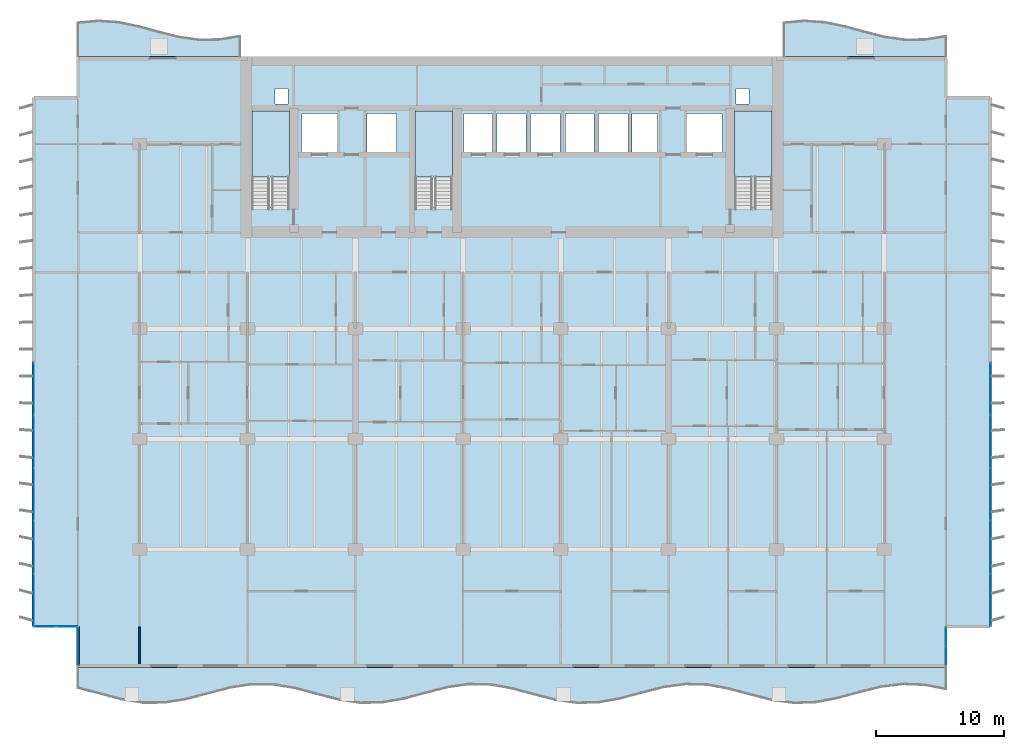
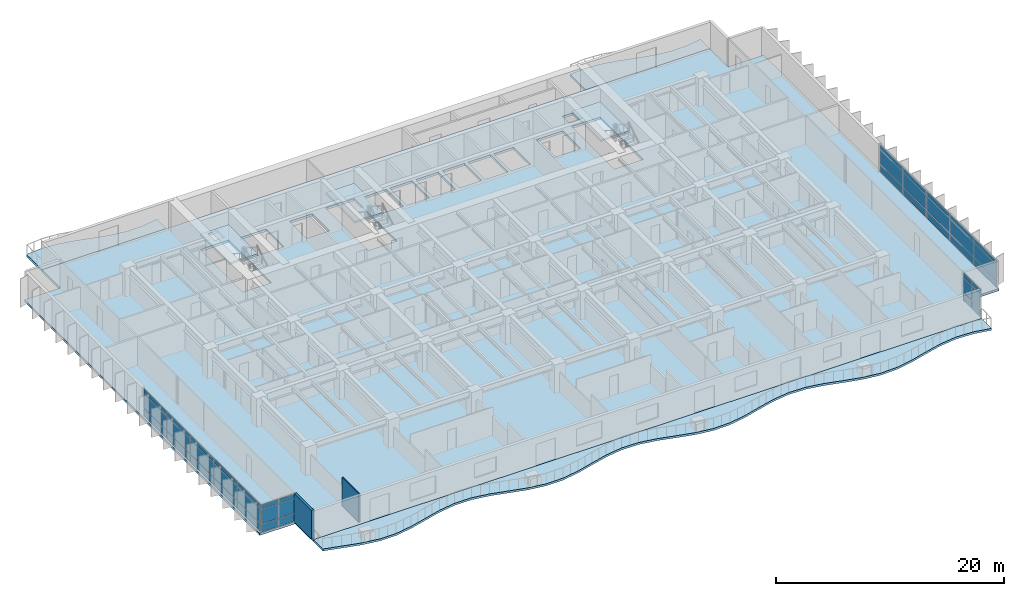
# One storey, part 5 of 17: 42 plates, 7 slabs, 2 walls, 7 elements without a shape of their own.
"""IFC4 building model written with IfcOpenShell, lengths in metres."""

import ifcopenshell
import ifcopenshell.guid

model = None  # the IFC model being written
_history = None  # IfcOwnerHistory: only IFC2X3 demands one
_inside = {}  # id of a spatial element -> (the spatial element, [elements in it])
_under = {}  # id of a project, library or spatial element -> (it, [spatial elements below it])
_declared = {}  # id of a project -> (the project, [libraries it declares])
_typed = {}  # id of a type object -> (the type object, [elements of that type])
_made_of = {}  # id of a material, layer set ... -> (it, [elements and type objects made of it])


def new_model(schema):
    """Start an empty IFC model of exactly this schema.

    Asked for "IFC4X3", IfcOpenShell would pick the latest addendum, in which some entities
    have other attributes; the version numbers below select the first issue.
    IFC2X3 requires an IfcOwnerHistory on every rooted entity: one is made here for all.
    """
    global model, _history
    if schema == "IFC4X3":
        model = ifcopenshell.file(schema_version=(4, 3, 0, 0))
    else:
        model = ifcopenshell.file(schema=schema)
    _inside.clear()
    _under.clear()
    _declared.clear()
    _typed.clear()
    _made_of.clear()
    _history = None
    if model.schema == "IFC2X3":
        org = make("IfcOrganization", Name="unknown")
        user = make(
            "IfcPersonAndOrganization",
            ThePerson=make("IfcPerson", FamilyName="unknown"),
            TheOrganization=org,
        )
        app = make(
            "IfcApplication",
            ApplicationDeveloper=org,
            Version="unknown",
            ApplicationFullName="unknown",
            ApplicationIdentifier="unknown",
        )
        _history = make(
            "IfcOwnerHistory",
            OwningUser=user,
            OwningApplication=app,
            ChangeAction="ADDED",
            CreationDate=0,
        )
    return model


def make(cls, **values):
    """One entity of the class cls with the attributes given. An attribute that is None is left unset."""
    return model.create_entity(
        cls, **{name: value for name, value in values.items() if value is not None}
    )


def rooted(cls, **values):
    """An entity with a GlobalId (a new one), such as an element, a storey or a relation."""
    return make(cls, GlobalId=ifcopenshell.guid.new(), OwnerHistory=_history, **values)


def si_unit(unit_type, name, prefix=None):
    """IfcSIUnit, for example si_unit("LENGTHUNIT", "METRE", prefix="MILLI")."""
    return make("IfcSIUnit", UnitType=unit_type, Prefix=prefix, Name=name)


def assignment(units):
    """IfcUnitAssignment: the units of a project."""
    return None if units is None else make("IfcUnitAssignment", Units=units)


def point(xyz):
    """IfcCartesianPoint."""
    return None if xyz is None else make("IfcCartesianPoint", Coordinates=xyz)


def direction(xyz):
    """IfcDirection."""
    return None if xyz is None else make("IfcDirection", DirectionRatios=xyz)


def frame(location, z_axis=None, x_axis=None):
    """IfcAxis2Placement3D, a coordinate frame: its origin and axes. An axis left out is left unset."""
    return make(
        "IfcAxis2Placement3D",
        Location=point(location),
        Axis=direction(z_axis),
        RefDirection=direction(x_axis),
    )


def frame_2d(location, x_axis=None):
    """IfcAxis2Placement2D, a coordinate frame in the plane: its origin and x axis."""
    return make(
        "IfcAxis2Placement2D", Location=point(location), RefDirection=direction(x_axis)
    )


def origin():
    """The frame at (0, 0, 0) with its axes left unset."""
    return frame((0.0, 0.0, 0.0))


def origin_2d():
    """The frame at (0, 0) in the plane with its x axis left unset."""
    return frame_2d((0.0, 0.0))


def place(relative_to, where):
    """IfcLocalPlacement: puts the frame where relative to a parent placement (None: the world)."""
    return make(
        "IfcLocalPlacement", PlacementRelTo=relative_to, RelativePlacement=where
    )


def context(
    kind, dimensions, precision=None, world=None, true_north=None, identifier=None
):
    """IfcGeometricRepresentationContext, for example the 3D "Model" context."""
    return make(
        "IfcGeometricRepresentationContext",
        ContextIdentifier=identifier,
        ContextType=kind,
        CoordinateSpaceDimension=dimensions,
        Precision=precision,
        WorldCoordinateSystem=world,
        TrueNorth=true_north,
    )


def subcontext(parent, identifier, kind, view, scale=None):
    """IfcGeometricRepresentationSubContext, for example "Body" below "Model"."""
    return make(
        "IfcGeometricRepresentationSubContext",
        ContextIdentifier=identifier,
        ContextType=kind,
        ParentContext=parent,
        TargetScale=scale,
        TargetView=view,
    )


def project(units=None, contexts=None):
    """IfcProject with its units and contexts."""
    return rooted(
        "IfcProject",
        Name="project",
        RepresentationContexts=contexts,
        UnitsInContext=assignment(units),
    )


def spatial(cls, under=None, at=None, **own):
    """A site, building, storey or space (cls), placed at a placement, below another one or the project."""
    s = rooted(cls, ObjectPlacement=at, **own)
    if under is not None:
        _under.setdefault(under.id(), (under, []))[1].append(s)
    return s


def polyline(points):
    """IfcPolyline through the points."""
    return make("IfcPolyline", Points=[point(p) for p in points])


def profile(cls, at=None, kind="AREA", **sizes):
    """A parametric profile (cls). Its sizes go by their IFC names, for example OverallWidth=200.0."""
    return make(cls, ProfileType=kind, Position=at, **sizes)


def rectangle(**sizes):
    """IfcRectangleProfileDef."""
    return profile("IfcRectangleProfileDef", **sizes)


def outline(outer, holes=None, kind="AREA"):
    """IfcArbitraryClosedProfileDef: a profile drawn as a closed curve; with holes, ...WithVoids."""
    if holes is None:
        return make("IfcArbitraryClosedProfileDef", ProfileType=kind, OuterCurve=outer)
    return make(
        "IfcArbitraryProfileDefWithVoids",
        ProfileType=kind,
        OuterCurve=outer,
        InnerCurves=holes,
    )


def extrude(swept, where, along, depth):
    """IfcExtrudedAreaSolid: the profile swept, set in the frame where, extruded along a direction by depth."""
    return make(
        "IfcExtrudedAreaSolid",
        SweptArea=swept,
        Position=where,
        ExtrudedDirection=direction(along),
        Depth=depth,
    )


def shape(context_of_items, identifier, shape_type, items):
    """IfcShapeRepresentation: the items that make up one representation, for example the "Body"."""
    return make(
        "IfcShapeRepresentation",
        ContextOfItems=context_of_items,
        RepresentationIdentifier=identifier,
        RepresentationType=shape_type,
        Items=items,
    )


def material(Name=None, Category=None):
    """IfcMaterial."""
    return make("IfcMaterial", Name=Name, Category=Category)


def layer(
    of_material, thickness, ventilated=None, Name=None, Category=None, Priority=None
):
    """IfcMaterialLayer: one layer of a wall or slab, of a material (None: an air gap)."""
    return make(
        "IfcMaterialLayer",
        Material=of_material,
        LayerThickness=thickness,
        IsVentilated=ventilated,
        Name=Name,
        Category=Category,
        Priority=Priority,
    )


def layer_set(layers, Name=None):
    """IfcMaterialLayerSet."""
    return make("IfcMaterialLayerSet", MaterialLayers=layers, LayerSetName=Name)


def made_of(thing, what):
    """Note that an element or type object is made of a material, layer set ...; save() writes the relation."""
    if what is not None:
        _made_of.setdefault(what.id(), (what, []))[1].append(thing)
    return thing


def type_object(cls, material=None, **own):
    """A type object (cls), such as IfcWallType, which elements share."""
    return made_of(rooted(cls, **own), material)


def element(
    cls,
    number,
    at=None,
    inside=None,
    cuts=None,
    type_object=None,
    material=None,
    context=None,
    identifier="Body",
    shape_type=None,
    held_by="IfcProductDefinitionShape",
    body=None,
    shapes=None,
    **own,
):
    """One element of the class cls, such as IfcWall. Its Tag is "e" and its number.

    at: its placement. inside: the storey or other place that contains it. cuts: it is an
    opening in that element (IfcRelVoidsElement). A single representation is given by context,
    identifier, shape_type and body (its items); several are given by shapes. held_by: the class
    of the entity that holds the representations. save() writes the other relations.
    """
    e = rooted(cls, Tag="e%d" % number, ObjectPlacement=at, **own)
    if body is not None:
        shapes = [shape(context, identifier, shape_type, body)]
    if shapes is not None:
        e.Representation = make(held_by, Representations=shapes)
    if inside is not None:
        _inside.setdefault(inside.id(), (inside, []))[1].append(e)
    if cuts is not None:
        rooted(
            "IfcRelVoidsElement", RelatingBuildingElement=cuts, RelatedOpeningElement=e
        )
    if type_object is not None:
        _typed.setdefault(type_object.id(), (type_object, []))[1].append(e)
    return made_of(e, material)


def aggregate(whole, parts):
    """IfcRelAggregates: a whole, such as a stair, and the parts it consists of."""
    return rooted("IfcRelAggregates", RelatingObject=whole, RelatedObjects=parts)


def save(model, path):
    """Write the relations noted so far, then the file.

    IfcRelAggregates (storeys below a building ...), IfcRelContainedInSpatialStructure (elements
    in a storey), IfcRelDefinesByType, IfcRelAssociatesMaterial and IfcRelDeclares: one each for
    every whole, place, type object, material and project.
    """
    for whole, parts in _under.values():
        aggregate(whole, parts)
    for where, things in _inside.values():
        rooted(
            "IfcRelContainedInSpatialStructure",
            RelatedElements=things,
            RelatingStructure=where,
        )
    for kind, things in _typed.values():
        rooted("IfcRelDefinesByType", RelatedObjects=things, RelatingType=kind)
    for what, things in _made_of.values():
        rooted("IfcRelAssociatesMaterial", RelatedObjects=things, RelatingMaterial=what)
    for by, libraries in _declared.values():
        rooted("IfcRelDeclares", RelatingContext=by, RelatedDefinitions=libraries)
    model.write(path)


model = new_model("IFC4")

# Units and contexts
model_context = context("Model", 3, precision=1e-05, world=origin(), true_north=direction((0.0, 1.0)))
body_context = subcontext(model_context, "Body", "Model", "MODEL_VIEW")
ifc_project = project(units=[si_unit("LENGTHUNIT", "METRE"), si_unit("AREAUNIT", "SQUARE_METRE"), si_unit("VOLUMEUNIT", "CUBIC_METRE"), si_unit("PLANEANGLEUNIT", "RADIAN"), si_unit("MASSUNIT", "GRAM", prefix="KILO")], contexts=[model_context])

# Site, building, storey
site_placement = place(None, origin())
site = spatial("IfcSite", under=ifc_project, at=site_placement, CompositionType="ELEMENT")
building_placement = place(site_placement, origin())
building = spatial("IfcBuilding", under=site, at=building_placement, Name="Caelmar Bay Residences", CompositionType="ELEMENT")
storey_placement = place(building_placement, frame((0.0, 0.0, 59.699951171875)))
storey = spatial("IfcBuildingStorey", under=building, at=storey_placement, Name="L15", CompositionType="ELEMENT", Elevation=59.699951171875)

# Curtain wall, plates
ifc_material_1 = material(Name="Anodised bronze aluminium 6063-T6 and laminated glass", Category="aluminium")
ifc_layer_1 = layer(ifc_material_1, 0.179931640625)
ifc_layer_set_1 = layer_set([ifc_layer_1], Name="Anodised bronze aluminium 6063-T6 and laminated glass")
curtain_wall_type_1 = type_object("IfcCurtainWallType", Name="CW6-NTC", PredefinedType="NOTDEFINED", material=ifc_layer_set_1)
curtain_wall_1_placement = place(storey_placement, origin())
curtain_wall_1 = element("IfcCurtainWall", 1, at=curtain_wall_1_placement, inside=storey, type_object=curtain_wall_type_1, Name="CW6 curtain wall L15", PredefinedType="NOTDEFINED")
ifc_material_2 = material(Name="Bronze-tinted laminated low-E hurricane glass 28 mm", Category="glass")
ifc_layer_2 = layer(ifc_material_2, 0.028076171875)
ifc_layer_set_2 = layer_set([ifc_layer_2], Name="Bronze-tinted laminated low-E hurricane glass 28 mm")
plate_type = type_object("IfcPlateType", Name="CWP-GLZ28", PredefinedType="CURTAIN_PANEL", material=ifc_layer_set_2)
plate_1_placement = place(storey_placement, frame((2.532470703125, 6.199951171875, 0.080078125), z_axis=(0.0, 0.0, 1.0), x_axis=(1.0, 0.0, 0.0)))
plate_1 = element("IfcPlate", 2, at=plate_1_placement, type_object=plate_type, Name="CW6 panel 1.1", PredefinedType="CURTAIN_PANEL", context=body_context, shape_type="SweptSolid", body=[
    extrude(rectangle(XDim=1.60498046875, YDim=0.028076171875, at=origin_2d()), origin(), (0.0, 0.0, 1.0), 0.780029296875),
])
plate_2_placement = place(storey_placement, frame((2.532470703125, 6.199951171875, 0.93994140625), z_axis=(0.0, 0.0, 1.0), x_axis=(1.0, 0.0, 0.0)))
plate_2 = element("IfcPlate", 3, at=plate_2_placement, type_object=plate_type, Name="CW6 panel 1.2", PredefinedType="CURTAIN_PANEL", context=body_context, shape_type="SweptSolid", body=[
    extrude(rectangle(XDim=1.60498046875, YDim=0.028076171875, at=origin_2d()), origin(), (0.0, 0.0, 1.0), 1.52001953125),
])
plate_3_placement = place(storey_placement, frame((2.532470703125, 6.199951171875, 2.5400390625), z_axis=(0.0, 0.0, 1.0), x_axis=(1.0, 0.0, 0.0)))
plate_3 = element("IfcPlate", 4, at=plate_3_placement, type_object=plate_type, Name="CW6 panel 1.3", PredefinedType="CURTAIN_PANEL", context=body_context, shape_type="SweptSolid", body=[
    extrude(rectangle(XDim=1.60498046875, YDim=0.028076171875, at=origin_2d()), origin(), (0.0, 0.0, 1.0), 0.429931640625),
])
plate_4_placement = place(storey_placement, frame((4.217529296875, 6.199951171875, 0.080078125), z_axis=(0.0, 0.0, 1.0), x_axis=(1.0, 0.0, 0.0)))
plate_4 = element("IfcPlate", 5, at=plate_4_placement, type_object=plate_type, Name="CW6 panel 2.1", PredefinedType="CURTAIN_PANEL", context=body_context, shape_type="SweptSolid", body=[
    extrude(rectangle(XDim=1.60498046875, YDim=0.028076171875, at=origin_2d()), origin(), (0.0, 0.0, 1.0), 0.780029296875),
])
plate_5_placement = place(storey_placement, frame((4.217529296875, 6.199951171875, 0.93994140625), z_axis=(0.0, 0.0, 1.0), x_axis=(1.0, 0.0, 0.0)))
plate_5 = element("IfcPlate", 6, at=plate_5_placement, type_object=plate_type, Name="CW6 panel 2.2", PredefinedType="CURTAIN_PANEL", context=body_context, shape_type="SweptSolid", body=[
    extrude(rectangle(XDim=1.60498046875, YDim=0.028076171875, at=origin_2d()), origin(), (0.0, 0.0, 1.0), 1.52001953125),
])
plate_6_placement = place(storey_placement, frame((4.217529296875, 6.199951171875, 2.5400390625), z_axis=(0.0, 0.0, 1.0), x_axis=(1.0, 0.0, 0.0)))
plate_6 = element("IfcPlate", 7, at=plate_6_placement, type_object=plate_type, Name="CW6 panel 2.3", PredefinedType="CURTAIN_PANEL", context=body_context, shape_type="SweptSolid", body=[
    extrude(rectangle(XDim=1.60498046875, YDim=0.028076171875, at=origin_2d()), origin(), (0.0, 0.0, 1.0), 0.429931640625),
])
aggregate(curtain_wall_1, [plate_1, plate_2, plate_3, plate_4, plate_5, plate_6])

curtain_wall_2_placement = place(storey_placement, origin())
curtain_wall_2 = element("IfcCurtainWall", 8, at=curtain_wall_2_placement, inside=storey, type_object=curtain_wall_type_1, Name="CW6 curtain wall L15", PredefinedType="NOTDEFINED")
plate_7_placement = place(storey_placement, frame((72.699951171875, 3.9326171875, 0.080078125), z_axis=(0.0, 0.0, 1.0), x_axis=(0.0, 1.0, 0.0)))
plate_7 = element("IfcPlate", 9, at=plate_7_placement, type_object=plate_type, Name="CW6 panel 1.1", PredefinedType="CURTAIN_PANEL", context=body_context, shape_type="SweptSolid", body=[
    extrude(rectangle(XDim=1.405029296875, YDim=0.028076171875, at=origin_2d()), origin(), (0.0, 0.0, 1.0), 0.780029296875),
])
plate_8_placement = place(storey_placement, frame((72.699951171875, 3.9326171875, 0.93994140625), z_axis=(0.0, 0.0, 1.0), x_axis=(0.0, 1.0, 0.0)))
plate_8 = element("IfcPlate", 10, at=plate_8_placement, type_object=plate_type, Name="CW6 panel 1.2", PredefinedType="CURTAIN_PANEL", context=body_context, shape_type="SweptSolid", body=[
    extrude(rectangle(XDim=1.405029296875, YDim=0.028076171875, at=origin_2d()), origin(), (0.0, 0.0, 1.0), 1.52001953125),
])
plate_9_placement = place(storey_placement, frame((72.699951171875, 3.9326171875, 2.5400390625), z_axis=(0.0, 0.0, 1.0), x_axis=(0.0, 1.0, 0.0)))
plate_9 = element("IfcPlate", 11, at=plate_9_placement, type_object=plate_type, Name="CW6 panel 1.3", PredefinedType="CURTAIN_PANEL", context=body_context, shape_type="SweptSolid", body=[
    extrude(rectangle(XDim=1.405029296875, YDim=0.028076171875, at=origin_2d()), origin(), (0.0, 0.0, 1.0), 0.429931640625),
])
plate_10_placement = place(storey_placement, frame((72.699951171875, 5.41748046875, 0.080078125), z_axis=(0.0, 0.0, 1.0), x_axis=(0.0, 1.0, 0.0)))
plate_10 = element("IfcPlate", 12, at=plate_10_placement, type_object=plate_type, Name="CW6 panel 2.1", PredefinedType="CURTAIN_PANEL", context=body_context, shape_type="SweptSolid", body=[
    extrude(rectangle(XDim=1.405029296875, YDim=0.028076171875, at=origin_2d()), origin(), (0.0, 0.0, 1.0), 0.780029296875),
])
plate_11_placement = place(storey_placement, frame((72.699951171875, 5.41748046875, 0.93994140625), z_axis=(0.0, 0.0, 1.0), x_axis=(0.0, 1.0, 0.0)))
plate_11 = element("IfcPlate", 13, at=plate_11_placement, type_object=plate_type, Name="CW6 panel 2.2", PredefinedType="CURTAIN_PANEL", context=body_context, shape_type="SweptSolid", body=[
    extrude(rectangle(XDim=1.405029296875, YDim=0.028076171875, at=origin_2d()), origin(), (0.0, 0.0, 1.0), 1.52001953125),
])
plate_12_placement = place(storey_placement, frame((72.699951171875, 5.41748046875, 2.5400390625), z_axis=(0.0, 0.0, 1.0), x_axis=(0.0, 1.0, 0.0)))
plate_12 = element("IfcPlate", 14, at=plate_12_placement, type_object=plate_type, Name="CW6 panel 2.3", PredefinedType="CURTAIN_PANEL", context=body_context, shape_type="SweptSolid", body=[
    extrude(rectangle(XDim=1.405029296875, YDim=0.028076171875, at=origin_2d()), origin(), (0.0, 0.0, 1.0), 0.429931640625),
])
aggregate(curtain_wall_2, [plate_7, plate_8, plate_9, plate_10, plate_11, plate_12])

ifc_layer_3 = layer(ifc_material_1, 0.179931640625)
ifc_layer_set_3 = layer_set([ifc_layer_3], Name="Anodised bronze aluminium 6063-T6 and laminated glass")
curtain_wall_type_2 = type_object("IfcCurtainWallType", Name="CW2-Z1", PredefinedType="NOTDEFINED", material=ifc_layer_set_3)
curtain_wall_3_placement = place(storey_placement, origin())
curtain_wall_3 = element("IfcCurtainWall", 15, at=curtain_wall_3_placement, inside=storey, type_object=curtain_wall_type_2, Name="CW2 curtain wall L15", PredefinedType="NOTDEFINED")
plate_13_placement = place(storey_placement, frame((1.64990234375, 8.280029296875, 0.080078125), z_axis=(0.0, 0.0, 1.0), x_axis=(0.0, 1.0, 0.0)))
plate_13 = element("IfcPlate", 16, at=plate_13_placement, type_object=plate_type, Name="CW2 panel 1.1", PredefinedType="CURTAIN_PANEL", context=body_context, shape_type="SweptSolid", body=[
    extrude(rectangle(XDim=4.0, YDim=0.028076171875, at=origin_2d()), origin(), (0.0, 0.0, 1.0), 0.780029296875),
])
plate_14_placement = place(storey_placement, frame((1.64990234375, 8.280029296875, 0.93994140625), z_axis=(0.0, 0.0, 1.0), x_axis=(0.0, 1.0, 0.0)))
plate_14 = element("IfcPlate", 17, at=plate_14_placement, type_object=plate_type, Name="CW2 panel 1.2", PredefinedType="CURTAIN_PANEL", context=body_context, shape_type="SweptSolid", body=[
    extrude(rectangle(XDim=4.0, YDim=0.028076171875, at=origin_2d()), origin(), (0.0, 0.0, 1.0), 1.52001953125),
])
plate_15_placement = place(storey_placement, frame((1.64990234375, 8.280029296875, 2.5400390625), z_axis=(0.0, 0.0, 1.0), x_axis=(0.0, 1.0, 0.0)))
plate_15 = element("IfcPlate", 18, at=plate_15_placement, type_object=plate_type, Name="CW2 panel 1.3", PredefinedType="CURTAIN_PANEL", context=body_context, shape_type="SweptSolid", body=[
    extrude(rectangle(XDim=4.0, YDim=0.028076171875, at=origin_2d()), origin(), (0.0, 0.0, 1.0), 0.429931640625),
])
plate_16_placement = place(storey_placement, frame((1.64990234375, 12.3798828125, 0.080078125), z_axis=(0.0, 0.0, 1.0), x_axis=(0.0, 1.0, 0.0)))
plate_16 = element("IfcPlate", 19, at=plate_16_placement, type_object=plate_type, Name="CW2 panel 2.1", PredefinedType="CURTAIN_PANEL", context=body_context, shape_type="SweptSolid", body=[
    extrude(rectangle(XDim=4.0400390625, YDim=0.028076171875, at=origin_2d()), origin(), (0.0, 0.0, 1.0), 0.780029296875),
])
plate_17_placement = place(storey_placement, frame((1.64990234375, 12.3798828125, 0.93994140625), z_axis=(0.0, 0.0, 1.0), x_axis=(0.0, 1.0, 0.0)))
plate_17 = element("IfcPlate", 20, at=plate_17_placement, type_object=plate_type, Name="CW2 panel 2.2", PredefinedType="CURTAIN_PANEL", context=body_context, shape_type="SweptSolid", body=[
    extrude(rectangle(XDim=4.0400390625, YDim=0.028076171875, at=origin_2d()), origin(), (0.0, 0.0, 1.0), 1.52001953125),
])
plate_18_placement = place(storey_placement, frame((1.64990234375, 12.3798828125, 2.5400390625), z_axis=(0.0, 0.0, 1.0), x_axis=(0.0, 1.0, 0.0)))
plate_18 = element("IfcPlate", 21, at=plate_18_placement, type_object=plate_type, Name="CW2 panel 2.3", PredefinedType="CURTAIN_PANEL", context=body_context, shape_type="SweptSolid", body=[
    extrude(rectangle(XDim=4.0400390625, YDim=0.028076171875, at=origin_2d()), origin(), (0.0, 0.0, 1.0), 0.429931640625),
])
plate_19_placement = place(storey_placement, frame((1.64990234375, 16.5, 0.080078125), z_axis=(0.0, 0.0, 1.0), x_axis=(0.0, 1.0, 0.0)))
plate_19 = element("IfcPlate", 22, at=plate_19_placement, type_object=plate_type, Name="CW2 panel 3.1", PredefinedType="CURTAIN_PANEL", context=body_context, shape_type="SweptSolid", body=[
    extrude(rectangle(XDim=4.0400390625, YDim=0.028076171875, at=origin_2d()), origin(), (0.0, 0.0, 1.0), 0.780029296875),
])
plate_20_placement = place(storey_placement, frame((1.64990234375, 16.5, 0.93994140625), z_axis=(0.0, 0.0, 1.0), x_axis=(0.0, 1.0, 0.0)))
plate_20 = element("IfcPlate", 23, at=plate_20_placement, type_object=plate_type, Name="CW2 panel 3.2", PredefinedType="CURTAIN_PANEL", context=body_context, shape_type="SweptSolid", body=[
    extrude(rectangle(XDim=4.0400390625, YDim=0.028076171875, at=origin_2d()), origin(), (0.0, 0.0, 1.0), 1.52001953125),
])
plate_21_placement = place(storey_placement, frame((1.64990234375, 16.5, 2.5400390625), z_axis=(0.0, 0.0, 1.0), x_axis=(0.0, 1.0, 0.0)))
plate_21 = element("IfcPlate", 24, at=plate_21_placement, type_object=plate_type, Name="CW2 panel 3.3", PredefinedType="CURTAIN_PANEL", context=body_context, shape_type="SweptSolid", body=[
    extrude(rectangle(XDim=4.0400390625, YDim=0.028076171875, at=origin_2d()), origin(), (0.0, 0.0, 1.0), 0.429931640625),
])
plate_22_placement = place(storey_placement, frame((1.64990234375, 20.6201171875, 0.080078125), z_axis=(0.0, 0.0, 1.0), x_axis=(0.0, 1.0, 0.0)))
plate_22 = element("IfcPlate", 25, at=plate_22_placement, type_object=plate_type, Name="CW2 panel 4.1", PredefinedType="CURTAIN_PANEL", context=body_context, shape_type="SweptSolid", body=[
    extrude(rectangle(XDim=4.0400390625, YDim=0.028076171875, at=origin_2d()), origin(), (0.0, 0.0, 1.0), 0.780029296875),
])
plate_23_placement = place(storey_placement, frame((1.64990234375, 20.6201171875, 0.93994140625), z_axis=(0.0, 0.0, 1.0), x_axis=(0.0, 1.0, 0.0)))
plate_23 = element("IfcPlate", 26, at=plate_23_placement, type_object=plate_type, Name="CW2 panel 4.2", PredefinedType="CURTAIN_PANEL", context=body_context, shape_type="SweptSolid", body=[
    extrude(rectangle(XDim=4.0400390625, YDim=0.028076171875, at=origin_2d()), origin(), (0.0, 0.0, 1.0), 1.52001953125),
])
plate_24_placement = place(storey_placement, frame((1.64990234375, 20.6201171875, 2.5400390625), z_axis=(0.0, 0.0, 1.0), x_axis=(0.0, 1.0, 0.0)))
plate_24 = element("IfcPlate", 27, at=plate_24_placement, type_object=plate_type, Name="CW2 panel 4.3", PredefinedType="CURTAIN_PANEL", context=body_context, shape_type="SweptSolid", body=[
    extrude(rectangle(XDim=4.0400390625, YDim=0.028076171875, at=origin_2d()), origin(), (0.0, 0.0, 1.0), 0.429931640625),
])
plate_25_placement = place(storey_placement, frame((1.64990234375, 24.719970703125, 0.080078125), z_axis=(0.0, 0.0, 1.0), x_axis=(0.0, 1.0, 0.0)))
plate_25 = element("IfcPlate", 28, at=plate_25_placement, type_object=plate_type, Name="CW2 panel 5.1", PredefinedType="CURTAIN_PANEL", context=body_context, shape_type="SweptSolid", body=[
    extrude(rectangle(XDim=4.0, YDim=0.028076171875, at=origin_2d()), origin(), (0.0, 0.0, 1.0), 0.780029296875),
])
plate_26_placement = place(storey_placement, frame((1.64990234375, 24.719970703125, 0.93994140625), z_axis=(0.0, 0.0, 1.0), x_axis=(0.0, 1.0, 0.0)))
plate_26 = element("IfcPlate", 29, at=plate_26_placement, type_object=plate_type, Name="CW2 panel 5.2", PredefinedType="CURTAIN_PANEL", context=body_context, shape_type="SweptSolid", body=[
    extrude(rectangle(XDim=4.0, YDim=0.028076171875, at=origin_2d()), origin(), (0.0, 0.0, 1.0), 1.52001953125),
])
plate_27_placement = place(storey_placement, frame((1.64990234375, 24.719970703125, 2.5400390625), z_axis=(0.0, 0.0, 1.0), x_axis=(0.0, 1.0, 0.0)))
plate_27 = element("IfcPlate", 30, at=plate_27_placement, type_object=plate_type, Name="CW2 panel 5.3", PredefinedType="CURTAIN_PANEL", context=body_context, shape_type="SweptSolid", body=[
    extrude(rectangle(XDim=4.0, YDim=0.028076171875, at=origin_2d()), origin(), (0.0, 0.0, 1.0), 0.429931640625),
])
aggregate(curtain_wall_3, [plate_13, plate_14, plate_15, plate_16, plate_17, plate_18, plate_19, plate_20, plate_21, plate_22, plate_23, plate_24, plate_25, plate_26, plate_27])

curtain_wall_4_placement = place(storey_placement, origin())
curtain_wall_4 = element("IfcCurtainWall", 31, at=curtain_wall_4_placement, inside=storey, type_object=curtain_wall_type_2, Name="CW2 curtain wall L15", PredefinedType="NOTDEFINED")
plate_28_placement = place(storey_placement, frame((76.14990234375, 24.719970703125, 0.080078125), z_axis=(0.0, 0.0, 1.0), x_axis=(0.0, -1.0, 0.0)))
plate_28 = element("IfcPlate", 32, at=plate_28_placement, type_object=plate_type, Name="CW2 panel 1.1", PredefinedType="CURTAIN_PANEL", context=body_context, shape_type="SweptSolid", body=[
    extrude(rectangle(XDim=4.0, YDim=0.028076171875, at=origin_2d()), origin(), (0.0, 0.0, 1.0), 0.780029296875),
])
plate_29_placement = place(storey_placement, frame((76.14990234375, 24.719970703125, 0.93994140625), z_axis=(0.0, 0.0, 1.0), x_axis=(0.0, -1.0, 0.0)))
plate_29 = element("IfcPlate", 33, at=plate_29_placement, type_object=plate_type, Name="CW2 panel 1.2", PredefinedType="CURTAIN_PANEL", context=body_context, shape_type="SweptSolid", body=[
    extrude(rectangle(XDim=4.0, YDim=0.028076171875, at=origin_2d()), origin(), (0.0, 0.0, 1.0), 1.52001953125),
])
plate_30_placement = place(storey_placement, frame((76.14990234375, 24.719970703125, 2.5400390625), z_axis=(0.0, 0.0, 1.0), x_axis=(0.0, -1.0, 0.0)))
plate_30 = element("IfcPlate", 34, at=plate_30_placement, type_object=plate_type, Name="CW2 panel 1.3", PredefinedType="CURTAIN_PANEL", context=body_context, shape_type="SweptSolid", body=[
    extrude(rectangle(XDim=4.0, YDim=0.028076171875, at=origin_2d()), origin(), (0.0, 0.0, 1.0), 0.429931640625),
])
plate_31_placement = place(storey_placement, frame((76.14990234375, 20.6201171875, 0.080078125), z_axis=(0.0, 0.0, 1.0), x_axis=(0.0, -1.0, 0.0)))
plate_31 = element("IfcPlate", 35, at=plate_31_placement, type_object=plate_type, Name="CW2 panel 2.1", PredefinedType="CURTAIN_PANEL", context=body_context, shape_type="SweptSolid", body=[
    extrude(rectangle(XDim=4.0400390625, YDim=0.028076171875, at=origin_2d()), origin(), (0.0, 0.0, 1.0), 0.780029296875),
])
plate_32_placement = place(storey_placement, frame((76.14990234375, 20.6201171875, 0.93994140625), z_axis=(0.0, 0.0, 1.0), x_axis=(0.0, -1.0, 0.0)))
plate_32 = element("IfcPlate", 36, at=plate_32_placement, type_object=plate_type, Name="CW2 panel 2.2", PredefinedType="CURTAIN_PANEL", context=body_context, shape_type="SweptSolid", body=[
    extrude(rectangle(XDim=4.0400390625, YDim=0.028076171875, at=origin_2d()), origin(), (0.0, 0.0, 1.0), 1.52001953125),
])
plate_33_placement = place(storey_placement, frame((76.14990234375, 20.6201171875, 2.5400390625), z_axis=(0.0, 0.0, 1.0), x_axis=(0.0, -1.0, 0.0)))
plate_33 = element("IfcPlate", 37, at=plate_33_placement, type_object=plate_type, Name="CW2 panel 2.3", PredefinedType="CURTAIN_PANEL", context=body_context, shape_type="SweptSolid", body=[
    extrude(rectangle(XDim=4.0400390625, YDim=0.028076171875, at=origin_2d()), origin(), (0.0, 0.0, 1.0), 0.429931640625),
])
plate_34_placement = place(storey_placement, frame((76.14990234375, 16.5, 0.080078125), z_axis=(0.0, 0.0, 1.0), x_axis=(0.0, -1.0, 0.0)))
plate_34 = element("IfcPlate", 38, at=plate_34_placement, type_object=plate_type, Name="CW2 panel 3.1", PredefinedType="CURTAIN_PANEL", context=body_context, shape_type="SweptSolid", body=[
    extrude(rectangle(XDim=4.0400390625, YDim=0.028076171875, at=origin_2d()), origin(), (0.0, 0.0, 1.0), 0.780029296875),
])
plate_35_placement = place(storey_placement, frame((76.14990234375, 16.5, 0.93994140625), z_axis=(0.0, 0.0, 1.0), x_axis=(0.0, -1.0, 0.0)))
plate_35 = element("IfcPlate", 39, at=plate_35_placement, type_object=plate_type, Name="CW2 panel 3.2", PredefinedType="CURTAIN_PANEL", context=body_context, shape_type="SweptSolid", body=[
    extrude(rectangle(XDim=4.0400390625, YDim=0.028076171875, at=origin_2d()), origin(), (0.0, 0.0, 1.0), 1.52001953125),
])
plate_36_placement = place(storey_placement, frame((76.14990234375, 16.5, 2.5400390625), z_axis=(0.0, 0.0, 1.0), x_axis=(0.0, -1.0, 0.0)))
plate_36 = element("IfcPlate", 40, at=plate_36_placement, type_object=plate_type, Name="CW2 panel 3.3", PredefinedType="CURTAIN_PANEL", context=body_context, shape_type="SweptSolid", body=[
    extrude(rectangle(XDim=4.0400390625, YDim=0.028076171875, at=origin_2d()), origin(), (0.0, 0.0, 1.0), 0.429931640625),
])
plate_37_placement = place(storey_placement, frame((76.14990234375, 12.3798828125, 0.080078125), z_axis=(0.0, 0.0, 1.0), x_axis=(0.0, -1.0, 0.0)))
plate_37 = element("IfcPlate", 41, at=plate_37_placement, type_object=plate_type, Name="CW2 panel 4.1", PredefinedType="CURTAIN_PANEL", context=body_context, shape_type="SweptSolid", body=[
    extrude(rectangle(XDim=4.0400390625, YDim=0.028076171875, at=origin_2d()), origin(), (0.0, 0.0, 1.0), 0.780029296875),
])
plate_38_placement = place(storey_placement, frame((76.14990234375, 12.3798828125, 0.93994140625), z_axis=(0.0, 0.0, 1.0), x_axis=(0.0, -1.0, 0.0)))
plate_38 = element("IfcPlate", 42, at=plate_38_placement, type_object=plate_type, Name="CW2 panel 4.2", PredefinedType="CURTAIN_PANEL", context=body_context, shape_type="SweptSolid", body=[
    extrude(rectangle(XDim=4.0400390625, YDim=0.028076171875, at=origin_2d()), origin(), (0.0, 0.0, 1.0), 1.52001953125),
])
plate_39_placement = place(storey_placement, frame((76.14990234375, 12.3798828125, 2.5400390625), z_axis=(0.0, 0.0, 1.0), x_axis=(0.0, -1.0, 0.0)))
plate_39 = element("IfcPlate", 43, at=plate_39_placement, type_object=plate_type, Name="CW2 panel 4.3", PredefinedType="CURTAIN_PANEL", context=body_context, shape_type="SweptSolid", body=[
    extrude(rectangle(XDim=4.0400390625, YDim=0.028076171875, at=origin_2d()), origin(), (0.0, 0.0, 1.0), 0.429931640625),
])
plate_40_placement = place(storey_placement, frame((76.14990234375, 8.280029296875, 0.080078125), z_axis=(0.0, 0.0, 1.0), x_axis=(0.0, -1.0, 0.0)))
plate_40 = element("IfcPlate", 44, at=plate_40_placement, type_object=plate_type, Name="CW2 panel 5.1", PredefinedType="CURTAIN_PANEL", context=body_context, shape_type="SweptSolid", body=[
    extrude(rectangle(XDim=4.0, YDim=0.028076171875, at=origin_2d()), origin(), (0.0, 0.0, 1.0), 0.780029296875),
])
plate_41_placement = place(storey_placement, frame((76.14990234375, 8.280029296875, 0.93994140625), z_axis=(0.0, 0.0, 1.0), x_axis=(0.0, -1.0, 0.0)))
plate_41 = element("IfcPlate", 45, at=plate_41_placement, type_object=plate_type, Name="CW2 panel 5.2", PredefinedType="CURTAIN_PANEL", context=body_context, shape_type="SweptSolid", body=[
    extrude(rectangle(XDim=4.0, YDim=0.028076171875, at=origin_2d()), origin(), (0.0, 0.0, 1.0), 1.52001953125),
])
plate_42_placement = place(storey_placement, frame((76.14990234375, 8.280029296875, 2.5400390625), z_axis=(0.0, 0.0, 1.0), x_axis=(0.0, -1.0, 0.0)))
plate_42 = element("IfcPlate", 46, at=plate_42_placement, type_object=plate_type, Name="CW2 panel 5.3", PredefinedType="CURTAIN_PANEL", context=body_context, shape_type="SweptSolid", body=[
    extrude(rectangle(XDim=4.0, YDim=0.028076171875, at=origin_2d()), origin(), (0.0, 0.0, 1.0), 0.429931640625),
])
aggregate(curtain_wall_4, [plate_28, plate_29, plate_30, plate_31, plate_32, plate_33, plate_34, plate_35, plate_36, plate_37, plate_38, plate_39, plate_40, plate_41, plate_42])

# Slabs
ifc_material_3 = material(Name="Concrete f'c 40 MPa (6,000 psi)", Category="concrete")
ifc_layer_4 = layer(ifc_material_3, 0.219970703125)
ifc_layer_set_4 = layer_set([ifc_layer_4], Name="Concrete f'c 40 MPa (6,000 psi)")
slab_type_1 = type_object("IfcSlabType", Name="SLB-BAL-220", PredefinedType="FLOOR", material=ifc_layer_set_4)
slab_1_placement = place(storey_placement, frame((0.0, 0.0, -0.219970703125)))
element("IfcSlab", 47, at=slab_1_placement, inside=storey, type_object=slab_type_1, Name="L15 Sinusoidal Tree-Balcony Slab south", PredefinedType="FLOOR", context=body_context, shape_type="SweptSolid", body=[
    extrude(outline(polyline([(5.10009765625, 1.3408203125), (6.7900390625, 0.897216796875), (8.47998046875, 0.45458984375), (10.169921875, 0.18408203125), (11.860107421875, 0.190185546875), (13.550048828125, 0.470703125), (15.239990234375, 0.916748046875), (16.929931640625, 1.356689453125), (18.6201171875, 1.619873046875), (20.31005859375, 1.60498046875), (22.0, 1.31787109375), (23.68994140625, 0.869140625), (25.3798828125, 0.432373046875), (27.070068359375, 0.17626953125), (28.760009765625, 0.19970703125), (30.449951171875, 0.493896484375), (32.139892578125, 0.94482421875), (33.830078125, 1.37841796875), (35.52001953125, 1.627197265625), (37.2099609375, 1.594970703125), (38.89990234375, 1.294189453125), (40.590087890625, 0.84130859375), (42.280029296875, 0.410888671875), (43.969970703125, 0.16943359375), (45.659912109375, 0.21044921875), (47.35009765625, 0.517578125), (49.0400390625, 0.972900390625), (50.72998046875, 1.39990234375), (52.419921875, 1.633544921875), (54.110107421875, 1.583984375), (55.800048828125, 1.27001953125), (57.489990234375, 0.813232421875), (59.179931640625, 0.389892578125), (60.8701171875, 0.16357421875), (62.56005859375, 0.221923828125), (64.25, 0.5419921875), (65.93994140625, 1.000732421875), (67.6298828125, 1.42041015625), (69.320068359375, 1.638916015625), (71.010009765625, 1.572021484375), (72.699951171875, 1.24560546875), (72.699951171875, 3.0), (5.10009765625, 3.0), (5.10009765625, 1.3408203125)])), origin(), (0.0, 0.0, 1.0), 0.219970703125),
])
slab_2_placement = place(storey_placement, frame((0.0, 0.0, -0.219970703125)))
element("IfcSlab", 48, at=slab_2_placement, inside=storey, type_object=slab_type_1, Name="L15 Sinusoidal Tree-Balcony Slab north_west", PredefinedType="FLOOR", context=body_context, shape_type="SweptSolid", body=[
    extrude(outline(polyline([(5.10009765625, 50.60009765625), (17.699951171875, 50.60009765625), (17.699951171875, 52.25927734375), (16.125, 51.996337890625), (14.550048828125, 51.970703125), (12.97509765625, 52.19091796875), (11.39990234375, 52.582763671875), (9.824951171875, 53.013916015625), (8.25, 53.339599609375), (6.675048828125, 53.449462890625), (5.10009765625, 53.306884765625), (5.10009765625, 50.60009765625)])), origin(), (0.0, 0.0, 1.0), 0.219970703125),
])
slab_3_placement = place(storey_placement, frame((0.0, 0.0, -0.219970703125)))
element("IfcSlab", 49, at=slab_3_placement, inside=storey, type_object=slab_type_1, Name="L15 Sinusoidal Tree-Balcony Slab north_east", PredefinedType="FLOOR", context=body_context, shape_type="SweptSolid", body=[
    extrude(outline(polyline([(60.10009765625, 50.60009765625), (72.699951171875, 50.60009765625), (72.699951171875, 52.25927734375), (71.125, 51.996337890625), (69.550048828125, 51.970703125), (67.97509765625, 52.19091796875), (66.39990234375, 52.582763671875), (64.824951171875, 53.013916015625), (63.25, 53.339599609375), (61.675048828125, 53.449462890625), (60.10009765625, 53.306884765625), (60.10009765625, 50.60009765625)])), origin(), (0.0, 0.0, 1.0), 0.219970703125),
])

# Stair, slab
stair_type = type_object("IfcStairType", Name="ST-TYP-165", PredefinedType="HALF_TURN_STAIR", material=ifc_material_3)
stair_1_placement = place(storey_placement, origin())
stair_1 = element("IfcStair", 50, at=stair_1_placement, inside=storey, type_object=stair_type, Name="L15 West Smokeproof Exit Stair ST1", PredefinedType="HALF_TURN_STAIR")
ifc_layer_5 = layer(ifc_material_3, 0.199951171875)
ifc_layer_set_5 = layer_set([ifc_layer_5], Name="Concrete f'c 40 MPa (6,000 psi)")
slab_type_2 = type_object("IfcSlabType", Name="SLB-LND-200", PredefinedType="LANDING", material=ifc_layer_set_5)
slab_4_placement = place(storey_placement, frame((0.0, 0.0, 1.449951171875)))
slab_4 = element("IfcSlab", 51, at=slab_4_placement, type_object=slab_type_2, Name="ST1 landing 1", PredefinedType="LANDING", context=body_context, shape_type="SweptSolid", body=[
    extrude(outline(polyline([(21.550048828125, 41.219970703125), (21.550048828125, 46.35009765625), (18.64990234375, 46.35009765625), (18.64990234375, 41.219970703125), (21.550048828125, 41.219970703125)])), origin(), (0.0, 0.0, 1.0), 0.2001953125),
])
aggregate(stair_1, [slab_4])

stair_2_placement = place(storey_placement, origin())
stair_2 = element("IfcStair", 52, at=stair_2_placement, inside=storey, type_object=stair_type, Name="L15 East Smokeproof Exit Stair ST2", PredefinedType="HALF_TURN_STAIR")
slab_5_placement = place(storey_placement, frame((0.0, 0.0, 1.449951171875)))
slab_5 = element("IfcSlab", 53, at=slab_5_placement, type_object=slab_type_2, Name="ST2 landing 1", PredefinedType="LANDING", context=body_context, shape_type="SweptSolid", body=[
    extrude(outline(polyline([(59.14990234375, 41.219970703125), (59.14990234375, 46.35009765625), (56.25, 46.35009765625), (56.25, 41.219970703125), (59.14990234375, 41.219970703125)])), origin(), (0.0, 0.0, 1.0), 0.2001953125),
])
aggregate(stair_2, [slab_5])

stair_3_placement = place(storey_placement, origin())
stair_3 = element("IfcStair", 54, at=stair_3_placement, inside=storey, type_object=stair_type, Name="L15 Central Smokeproof Exit Stair ST3", PredefinedType="HALF_TURN_STAIR")
slab_6_placement = place(storey_placement, frame((0.0, 0.0, 1.449951171875)))
slab_6 = element("IfcSlab", 55, at=slab_6_placement, type_object=slab_type_2, Name="ST3 landing 1", PredefinedType="LANDING", context=body_context, shape_type="SweptSolid", body=[
    extrude(outline(polyline([(34.25, 41.219970703125), (34.25, 46.35009765625), (31.35009765625, 46.35009765625), (31.35009765625, 41.219970703125), (34.25, 41.219970703125)])), origin(), (0.0, 0.0, 1.0), 0.2001953125),
])
aggregate(stair_3, [slab_6])

# Slab
ifc_layer_6 = layer(ifc_material_3, 0.25)
ifc_layer_set_6 = layer_set([ifc_layer_6], Name="Concrete f'c 40 MPa (6,000 psi)")
slab_type_3 = type_object("IfcSlabType", Name="SLB-RES-250", PredefinedType="FLOOR", material=ifc_layer_set_6)
slab_7_placement = place(storey_placement, frame((0.0, 0.0, -0.25)))
element("IfcSlab", 56, at=slab_7_placement, inside=storey, type_object=slab_type_3, Name="L15 Structural Floor Slab", PredefinedType="FLOOR", context=body_context, shape_type="SweptSolid", body=[
    extrude(outline(polyline([(5.10009765625, 3.0), (72.699951171875, 3.0), (72.699951171875, 6.199951171875), (76.300048828125, 6.199951171875), (76.300048828125, 47.39990234375), (72.699951171875, 47.39990234375), (72.699951171875, 50.60009765625), (5.10009765625, 50.60009765625), (5.10009765625, 47.39990234375), (1.5, 47.39990234375), (1.5, 6.199951171875), (5.10009765625, 6.199951171875), (5.10009765625, 3.0)]), holes=[polyline([(18.64990234375, 38.85009765625), (21.550048828125, 38.85009765625), (21.550048828125, 46.35009765625), (18.64990234375, 46.35009765625), (18.64990234375, 38.85009765625)]), polyline([(56.25, 38.85009765625), (59.14990234375, 38.85009765625), (59.14990234375, 46.35009765625), (56.25, 46.35009765625), (56.25, 38.85009765625)]), polyline([(31.35009765625, 38.85009765625), (34.25, 38.85009765625), (34.25, 46.35009765625), (31.35009765625, 46.35009765625), (31.35009765625, 38.85009765625)]), polyline([(22.550048828125, 43.050048828125), (25.25, 43.050048828125), (25.25, 46.14990234375), (22.550048828125, 46.14990234375), (22.550048828125, 43.050048828125)]), polyline([(52.550048828125, 43.050048828125), (55.25, 43.050048828125), (55.25, 46.14990234375), (52.550048828125, 46.14990234375), (52.550048828125, 43.050048828125)]), polyline([(35.14990234375, 43.14990234375), (37.39990234375, 43.14990234375), (37.39990234375, 46.14990234375), (35.14990234375, 46.14990234375), (35.14990234375, 43.14990234375)]), polyline([(37.75, 43.14990234375), (40.0, 43.14990234375), (40.0, 46.14990234375), (37.75, 46.14990234375), (37.75, 43.14990234375)]), polyline([(40.35009765625, 43.14990234375), (42.64990234375, 43.14990234375), (42.64990234375, 46.14990234375), (40.35009765625, 46.14990234375), (40.35009765625, 43.14990234375)]), polyline([(43.050048828125, 43.14990234375), (45.300048828125, 43.14990234375), (45.300048828125, 46.14990234375), (43.050048828125, 46.14990234375), (43.050048828125, 43.14990234375)]), polyline([(45.64990234375, 43.14990234375), (47.949951171875, 43.14990234375), (47.949951171875, 46.14990234375), (45.64990234375, 46.14990234375), (45.64990234375, 43.14990234375)]), polyline([(48.25, 43.14990234375), (50.25, 43.14990234375), (50.25, 46.14990234375), (48.25, 46.14990234375), (48.25, 43.14990234375)]), polyline([(27.60009765625, 43.14990234375), (29.89990234375, 43.14990234375), (29.89990234375, 46.14990234375), (27.60009765625, 46.14990234375), (27.60009765625, 43.14990234375)]), polyline([(20.449951171875, 46.89990234375), (21.449951171875, 46.89990234375), (21.449951171875, 48.10009765625), (20.449951171875, 48.10009765625), (20.449951171875, 46.89990234375)]), polyline([(56.35009765625, 46.89990234375), (57.35009765625, 46.89990234375), (57.35009765625, 48.10009765625), (56.35009765625, 48.10009765625), (56.35009765625, 46.89990234375)])]), origin(), (0.0, 0.0, 1.0), 0.25),
])

# Walls
ifc_material_4 = material(Name="Precast concrete f'c 40 MPa (6,000 psi)", Category="concrete")
ifc_layer_7 = layer(ifc_material_4, 0.25)
ifc_layer_set_7 = layer_set([ifc_layer_7], Name="Precast concrete f'c 40 MPa (6,000 psi)")
wall_type_1 = type_object("IfcWallType", Name="W-EXT-250", PredefinedType="ELEMENTEDWALL", material=ifc_layer_set_7)
wall_1_placement = place(storey_placement, frame((5.10009765625, 6.199951171875, 0.0), z_axis=(0.0, 0.0, 1.0), x_axis=(0.0, -1.0, 0.0)))
element("IfcWall", 57, at=wall_1_placement, inside=storey, type_object=wall_type_1, Name="L15 SW Notch Return Wall", PredefinedType="ELEMENTEDWALL", context=body_context, shape_type="SweptSolid", body=[
    extrude(rectangle(XDim=3.050048828125, YDim=0.25, at=frame_2d((1.52490234375, 0.0))), origin(), (0.0, 0.0, 1.0), 3.050048828125),
])
ifc_material_5 = material(Name="Acoustic metal-stud gypsum partition 120 mm")
ifc_layer_8 = layer(ifc_material_5, 0.1201171875)
ifc_layer_set_8 = layer_set([ifc_layer_8], Name="Acoustic metal-stud gypsum partition 120 mm")
wall_type_2 = type_object("IfcWallType", Name="W-PRT-120", PredefinedType="PARTITIONING", material=ifc_layer_set_8)
wall_2_placement = place(storey_placement, frame((9.89990234375, 3.294921875, 0.0), z_axis=(0.0, 0.0, 1.0), x_axis=(0.0, 1.0, 0.0)))
element("IfcWall", 58, at=wall_2_placement, inside=storey, type_object=wall_type_2, Name="L15 Partition Wall V007", PredefinedType="PARTITIONING", context=body_context, shape_type="SweptSolid", body=[
    extrude(rectangle(XDim=2.905029296875, YDim=0.1201171875, at=frame_2d((1.45263671875, 0.0))), origin(), (0.0, 0.0, 1.0), 3.050048828125),
])

save(model, "model.ifc")
